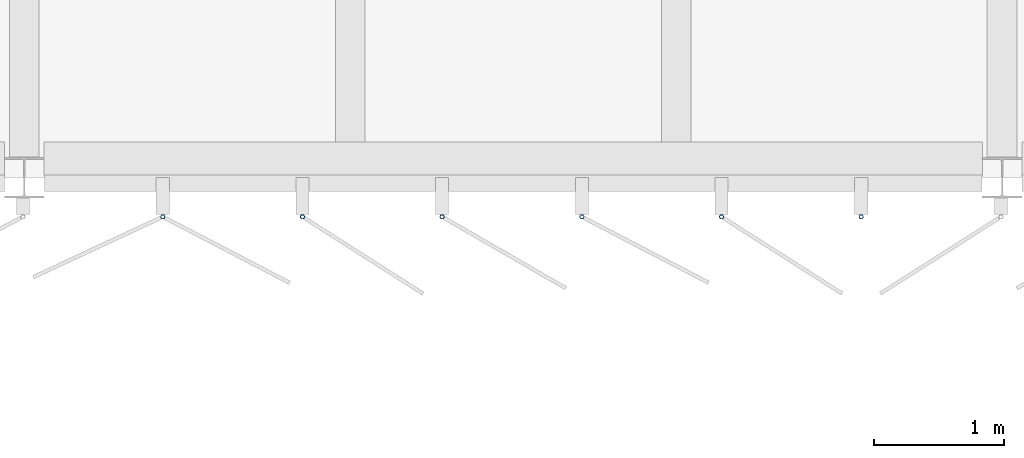
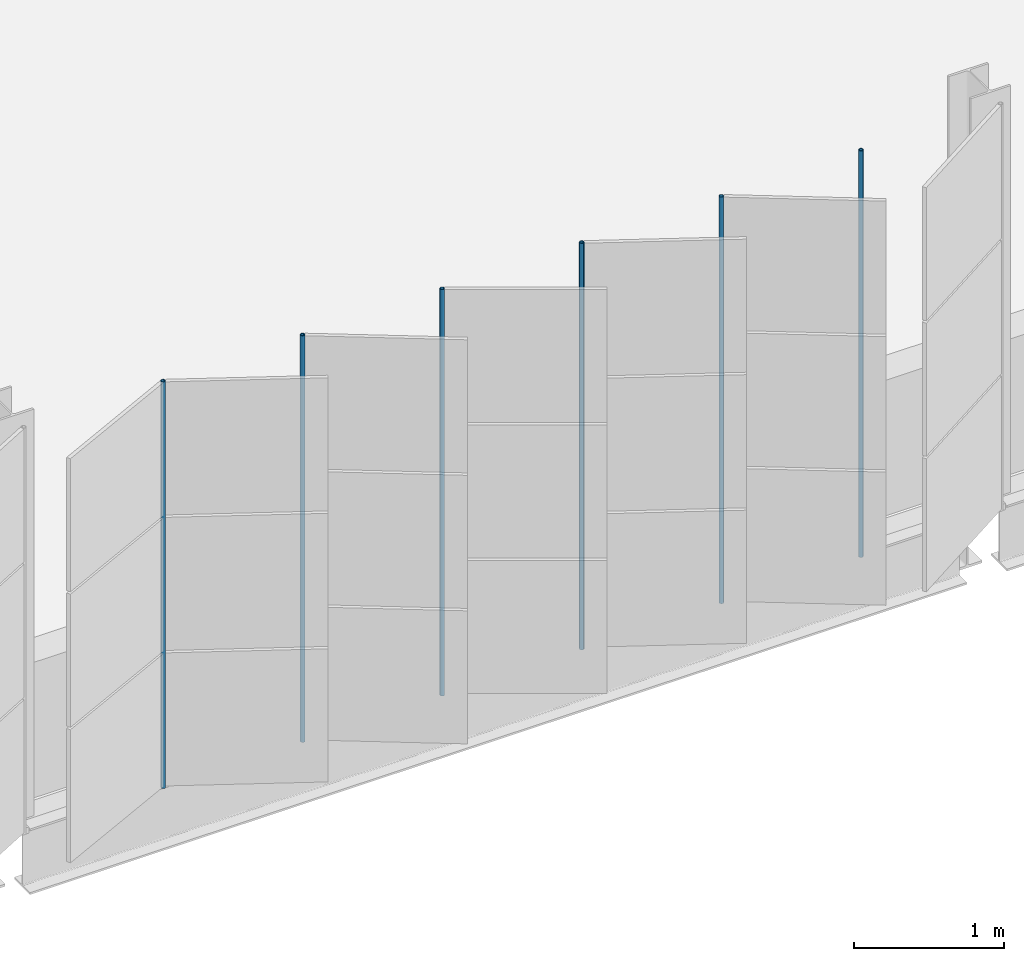
# One storey, part 98 of 214: 6 discrete accessories.
"""IFC4 building model written with IfcOpenShell, lengths in metres."""

from ifc_helpers import new_model, si_unit, direction, frame, origin, origin_2d, place, context, subcontext, project, spatial, hollow_circle, extrude, material, material_profile, profile_set, type_object, element, save


model = new_model("IFC4")

# Units and contexts
model_context = context("Model", 3, precision=1e-05, world=origin(), true_north=direction((0.0, 1.0)))
body_context = subcontext(model_context, "Body", "Model", "MODEL_VIEW")
ifc_project = project(units=[si_unit("LENGTHUNIT", "METRE"), si_unit("AREAUNIT", "SQUARE_METRE"), si_unit("VOLUMEUNIT", "CUBIC_METRE"), si_unit("PLANEANGLEUNIT", "RADIAN"), si_unit("MASSUNIT", "GRAM", prefix="KILO")], contexts=[model_context])

# Site, building, storey
site_placement = place(None, origin())
site = spatial("IfcSite", under=ifc_project, at=site_placement, CompositionType="ELEMENT")
building_placement = place(site_placement, origin())
building = spatial("IfcBuilding", under=site, at=building_placement, Name="Parallax Yard Mobility Hub", CompositionType="ELEMENT")
storey_placement = place(building_placement, frame((0.0, 0.0, 3.300048828125)))
storey = spatial("IfcBuildingStorey", under=building, at=storey_placement, Name="L01", CompositionType="ELEMENT", Elevation=3.300048828125)

# Discrete accessories
ifc_material = material(Name="Steel ASTM A500 Gr C, hot-dip galvanised", Category="steel")
ifc_material_profile = material_profile(ifc_material, hollow_circle(Radius=0.016845703125, WallThickness=0.003173828125, at=origin_2d()), Name="CHS 33.7x3.2")
ifc_profile_set = profile_set([ifc_material_profile], Name="Steel ASTM A500 Gr C, hot-dip galvanised")
discrete_accessory_type = type_object("IfcDiscreteAccessoryType", Name="Hinge post CHS 33.7x3.2", PredefinedType="BRACKET", material=ifc_profile_set)
for number, where, z_axis, x_axis, name in (
    (1, (106.06201171875, 112.199951171875, 0.0), (0.0, 0.0, 1.0), (1.0, 0.0, 0.0), "Hinge post bay 10.2 level L01"),
    (2, (107.13330078125, 112.199951171875, 0.0), (0.0, 0.0, 1.0), (1.0, 0.0, 0.0), "Hinge post bay 10.3 level L01"),
    (3, (108.204833984375, 112.199951171875, 0.0), (0.0, 0.0, 1.0), (1.0, 0.0, 0.0), "Hinge post bay 10.4 level L01"),
    (4, (109.2763671875, 112.199951171875, 0.0), (0.0, 0.0, 1.0), (1.0, 0.0, 0.0), "Hinge post bay 10.5 level L01"),
    (5, (110.347900390625, 112.199951171875, 0.0), (0.0, 0.0, 1.0), (1.0, 0.0, 0.0), "Hinge post bay 10.6 level L01"),
    (6, (111.41943359375, 112.199951171875, 0.0), (0.0, 0.0, 1.0), (1.0, 0.0, 0.0), "Hinge post bay 10.7 level L01"),
):
    element("IfcDiscreteAccessory", number, at=place(storey_placement, frame(where, z_axis=z_axis, x_axis=x_axis)), inside=storey, type_object=discrete_accessory_type, Name=name, PredefinedType="BRACKET", context=body_context, shape_type="SweptSolid", body=[
        extrude(hollow_circle(Radius=0.016845703125, WallThickness=0.003173828125, at=origin_2d()), origin(), (0.0, 0.0, 1.0), 3.300048828125),
    ])

save(model, "model.ifc")
